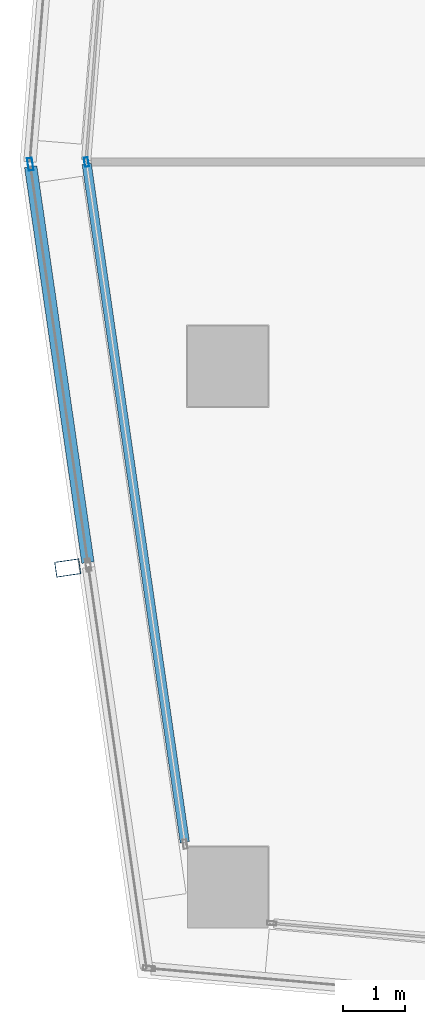
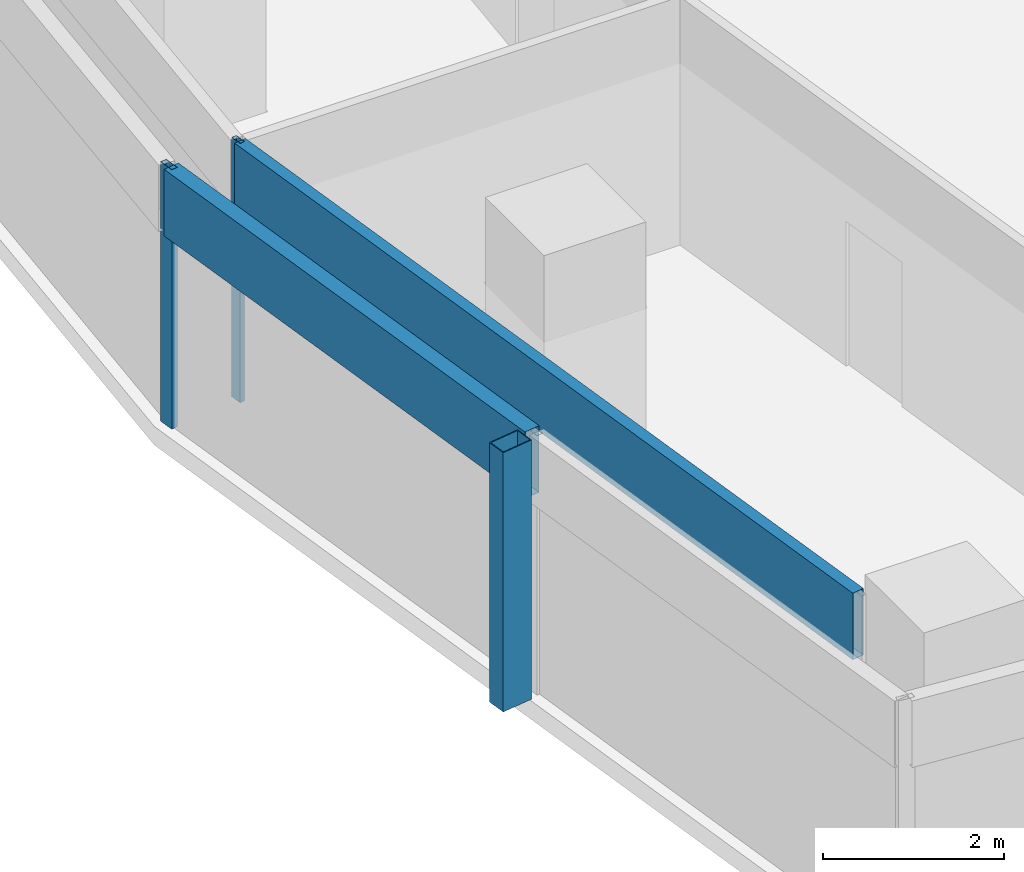
# One storey, part 4 of 29: 5 members, 2 elements without a shape of their own.
"""IFC4 building model written with IfcOpenShell, lengths in metres."""

from ifc_helpers import new_model, si_unit, direction, frame, origin, origin_2d, place, context, subcontext, project, spatial, hollow_rectangle, extrude, material, material_profile, profile_set, type_object, element, aggregate, save


model = new_model("IFC4")

# Units and contexts
model_context = context("Model", 3, precision=1e-05, world=origin(), true_north=direction((0.0, 1.0)))
body_context = subcontext(model_context, "Body", "Model", "MODEL_VIEW")
ifc_project = project(units=[si_unit("LENGTHUNIT", "METRE"), si_unit("AREAUNIT", "SQUARE_METRE"), si_unit("VOLUMEUNIT", "CUBIC_METRE"), si_unit("PLANEANGLEUNIT", "RADIAN"), si_unit("MASSUNIT", "GRAM", prefix="KILO")], contexts=[model_context])

# Site, building, storey
site_placement = place(None, origin())
site = spatial("IfcSite", under=ifc_project, at=site_placement, CompositionType="ELEMENT")
building_placement = place(site_placement, origin())
building = spatial("IfcBuilding", under=site, at=building_placement, Name="Rekha Terrace Tower", CompositionType="ELEMENT")
storey_placement = place(building_placement, frame((0.0, 0.0, 276.35009765625)))
storey = spatial("IfcBuildingStorey", under=building, at=storey_placement, Name="L70", CompositionType="ELEMENT", Elevation=276.35009765625)

# Curtain wall, member
ifc_material_1 = material(Name="Aluminium framing", Category="aluminium")
curtain_wall_type_1 = type_object("IfcCurtainWallType", Name="CW2 double skin outer glazing", PredefinedType="USERDEFINED", material=ifc_material_1)
curtain_wall_1_placement = place(storey_placement, origin())
curtain_wall_1 = element("IfcCurtainWall", 1, at=curtain_wall_1_placement, inside=storey, type_object=curtain_wall_type_1, Name="CW2 double skin outer glazing", ObjectType="DOUBLE SKIN OUTER GLAZING", PredefinedType="USERDEFINED")
ifc_material_2 = material(Name="Steel S355 with fluorocarbon finish", Category="steel")
ifc_material_profile_1 = material_profile(ifc_material_2, hollow_rectangle(XDim=0.25, YDim=0.39990234375, WallThickness=0.012451171875, at=origin_2d()), Name="RHS400x250x12.5")
ifc_profile_set_1 = profile_set([ifc_material_profile_1], Name="Steel S355 with fluorocarbon finish")
member_type_1 = type_object("IfcMemberType", Name="BL1 facade blade RHS 400 x 250", PredefinedType="USERDEFINED", material=ifc_profile_set_1)
member_1_placement = place(storey_placement, frame((5.819091796875, 21.94873046875, 0.0), z_axis=(0.0, 0.0, 1.0), x_axis=(0.143109157841, -0.989706910627, 0.0)))
member_1 = element("IfcMember", 2, at=member_1_placement, type_object=member_type_1, Name="Facade blade", ObjectType="FACADE BLADE", PredefinedType="USERDEFINED", context=body_context, shape_type="SweptSolid", body=[
    extrude(hollow_rectangle(XDim=0.25, YDim=0.39990234375, WallThickness=0.012451171875, at=origin_2d()), origin(), (0.0, 0.0, 1.0), 3.5),
])

# Curtain wall, members
curtain_wall_type_2 = type_object("IfcCurtainWallType", Name="CW1 double skin inner glazing", PredefinedType="USERDEFINED", material=ifc_material_1)
curtain_wall_2_placement = place(storey_placement, origin())
curtain_wall_2 = element("IfcCurtainWall", 3, at=curtain_wall_2_placement, inside=storey, type_object=curtain_wall_type_2, Name="CW1 double skin inner glazing", ObjectType="DOUBLE SKIN INNER GLAZING", PredefinedType="USERDEFINED")
ifc_material_3 = material(Name="Aluminium mullion section", Category="aluminium")
ifc_material_profile_2 = material_profile(ifc_material_3, hollow_rectangle(XDim=0.06494140625, YDim=0.14990234375, WallThickness=0.00390625, at=origin_2d()), Name="AL RHS 65x150")
ifc_profile_set_2 = profile_set([ifc_material_profile_2], Name="Aluminium mullion section")
member_type_2 = type_object("IfcMemberType", Name="CW1 mullion RHS 65 x 150", PredefinedType="MULLION", material=ifc_profile_set_2)
member_2_placement = place(storey_placement, frame((6.120849609375, 28.4912109375, 0.0), z_axis=(0.0, 0.0, 1.0), x_axis=(0.989707031394, 0.143108322643, 0.0)))
member_2 = element("IfcMember", 4, at=member_2_placement, type_object=member_type_2, Name="CW1 mullion 1", PredefinedType="MULLION", context=body_context, shape_type="SweptSolid", body=[
    extrude(hollow_rectangle(XDim=0.06494140625, YDim=0.14990234375, WallThickness=0.00390625, at=origin_2d()), origin(), (0.0, 0.0, 1.0), 3.5),
])
ifc_material_4 = material(Name="Insulated aluminium spandrel box", Category="aluminium")
ifc_material_profile_3 = material_profile(ifc_material_4, hollow_rectangle(XDim=0.14990234375, YDim=0.89990234375, WallThickness=0.0029296875, at=origin_2d()), Name="AL SPANDREL BOX 150x900")
ifc_profile_set_3 = profile_set([ifc_material_profile_3], Name="Insulated aluminium spandrel box")
member_type_3 = type_object("IfcMemberType", Name="CW1 spandrel transom 150 x 900", PredefinedType="USERDEFINED", material=ifc_profile_set_3)
member_3_placement = place(storey_placement, frame((6.12548828125, 28.458984375, 3.0498046875), z_axis=(0.143104894735, -0.989707527052, 0.0), x_axis=(0.989707527052, 0.143104894735, 0.0)))
member_3 = element("IfcMember", 5, at=member_3_placement, type_object=member_type_3, Name="CW1 spandrel transom 1", ObjectType="TRANSOM", PredefinedType="USERDEFINED", context=body_context, shape_type="SweptSolid", body=[
    extrude(hollow_rectangle(XDim=0.14990234375, YDim=0.89990234375, WallThickness=0.0029296875, at=origin_2d()), origin(), (0.0, 0.0, 1.0), 11.043212890625),
])
aggregate(curtain_wall_2, [member_2, member_3])

# Member
ifc_material_profile_4 = material_profile(ifc_material_3, hollow_rectangle(XDim=0.080078125, YDim=0.199951171875, WallThickness=0.00390625, at=origin_2d()), Name="AL RHS 80x200")
ifc_profile_set_4 = profile_set([ifc_material_profile_4], Name="Aluminium mullion section")
member_type_4 = type_object("IfcMemberType", Name="CW2 mullion RHS 80 x 200", PredefinedType="MULLION", material=ifc_profile_set_4)
member_4_placement = place(storey_placement, frame((5.216552734375, 28.455322265625, 0.0), z_axis=(0.0, 0.0, 1.0), x_axis=(0.989707031389, 0.143108322678, 0.0)))
member_4 = element("IfcMember", 6, at=member_4_placement, type_object=member_type_4, Name="CW2 mullion 1", PredefinedType="MULLION", context=body_context, shape_type="SweptSolid", body=[
    extrude(hollow_rectangle(XDim=0.080078125, YDim=0.199951171875, WallThickness=0.00390625, at=origin_2d()), origin(), (0.0, 0.0, 1.0), 3.5),
])

ifc_material_profile_5 = material_profile(ifc_material_4, hollow_rectangle(XDim=0.199951171875, YDim=0.89990234375, WallThickness=0.0029296875, at=origin_2d()), Name="AL SPANDREL BOX 200x900")
ifc_profile_set_5 = profile_set([ifc_material_profile_5], Name="Insulated aluminium spandrel box")
member_type_5 = type_object("IfcMemberType", Name="CW2 spandrel transom 200 x 900", PredefinedType="USERDEFINED", material=ifc_profile_set_5)
member_5_placement = place(storey_placement, frame((5.222412109375, 28.415771484375, 3.0498046875), z_axis=(0.143091438807, -0.989709472593, 0.0), x_axis=(0.989709472593, 0.143091438807, 0.0)))
member_5 = element("IfcMember", 7, at=member_5_placement, type_object=member_type_5, Name="CW2 spandrel transom 1", ObjectType="TRANSOM", PredefinedType="USERDEFINED", context=body_context, shape_type="SweptSolid", body=[
    extrude(hollow_rectangle(XDim=0.199951171875, YDim=0.89990234375, WallThickness=0.0029296875, at=origin_2d()), origin(), (0.0, 0.0, 1.0), 6.446044921875),
])

aggregate(curtain_wall_1, [member_4, member_5, member_1])

save(model, "model.ifc")
